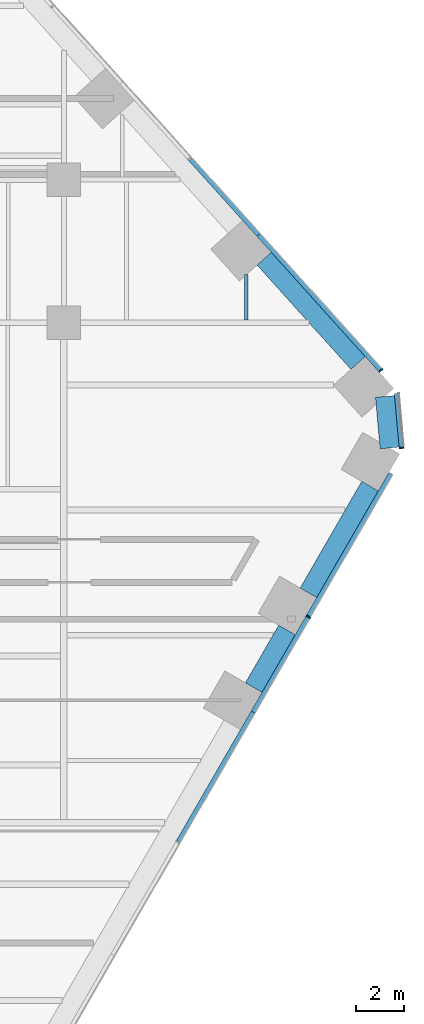
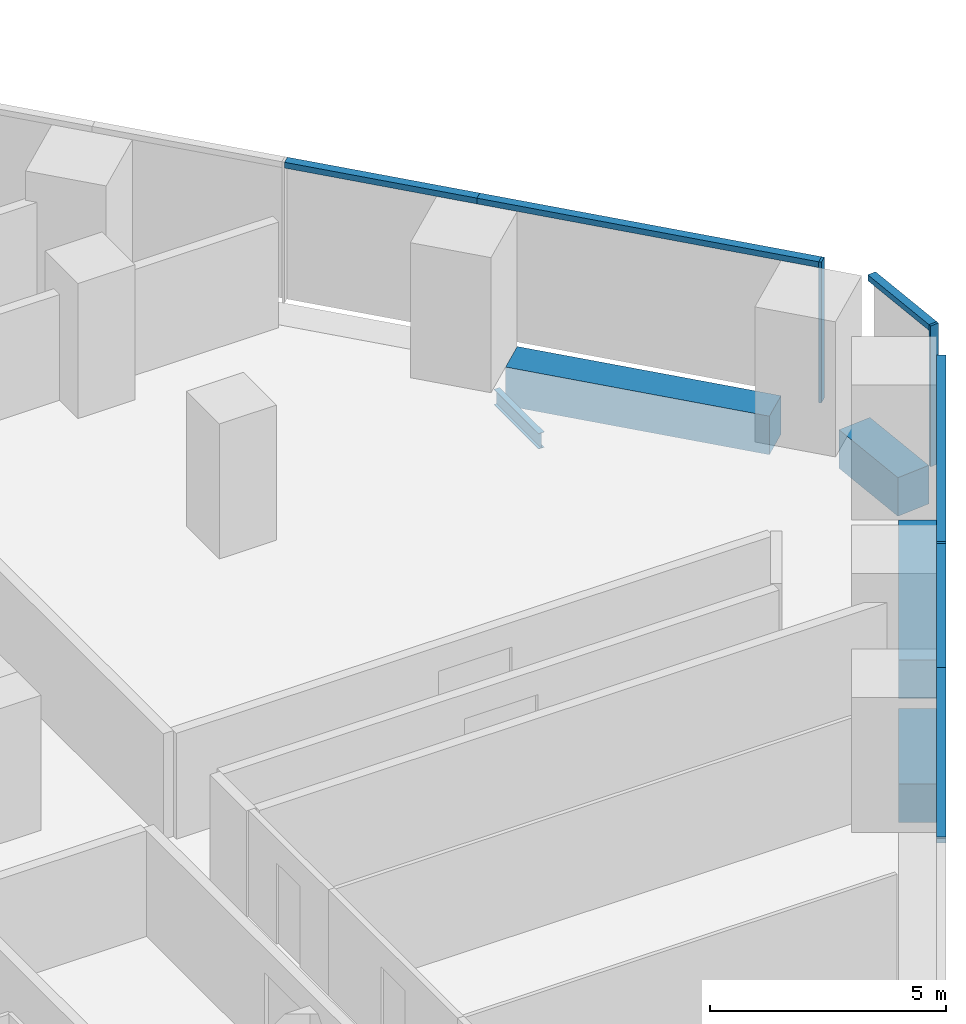
# One storey, part 11 of 20: 9 members, 5 beams, 3 elements without a shape of their own.
"""IFC4 building model written with IfcOpenShell, lengths in metres."""

from ifc_helpers import new_model, si_unit, direction, frame, origin, origin_2d, place, context, subcontext, project, spatial, rectangle, i_section, extrude, material, layer, layer_set, material_profile, profile_set, type_object, element, aggregate, save


model = new_model("IFC4")

# Units and contexts
model_context = context("Model", 3, precision=1e-05, world=origin(), true_north=direction((0.0, 1.0)))
body_context = subcontext(model_context, "Body", "Model", "MODEL_VIEW")
ifc_project = project(units=[si_unit("LENGTHUNIT", "METRE"), si_unit("AREAUNIT", "SQUARE_METRE"), si_unit("VOLUMEUNIT", "CUBIC_METRE"), si_unit("PLANEANGLEUNIT", "RADIAN"), si_unit("MASSUNIT", "GRAM", prefix="KILO")], contexts=[model_context])

# Site, building, storey
site_placement = place(None, origin())
site = spatial("IfcSite", under=ifc_project, at=site_placement, CompositionType="ELEMENT")
building_placement = place(site_placement, origin())
building = spatial("IfcBuilding", under=site, at=building_placement, Name="Isthmus Gate Tower", CompositionType="ELEMENT")
storey_placement = place(building_placement, frame((0.0, 0.0, 61.550048828125)))
storey = spatial("IfcBuildingStorey", under=building, at=storey_placement, Name="L13", CompositionType="ELEMENT", Elevation=61.550048828125)

# Curtain wall, member
ifc_material_1 = material(Name="Aluminium, pale champagne anodised", Category="aluminium")
ifc_layer = layer(ifc_material_1, 0.199951171875)
ifc_layer_set = layer_set([ifc_layer], Name="CW-1 UNITISED CURTAIN WALL 200 DEEP")
curtain_wall_type = type_object("IfcCurtainWallType", Name="CW-1 UNITISED CURTAIN WALL 200 DEEP", PredefinedType="NOTDEFINED", material=ifc_layer_set)
curtain_wall_1_placement = place(storey_placement, origin())
curtain_wall_1 = element("IfcCurtainWall", 1, at=curtain_wall_1_placement, inside=storey, type_object=curtain_wall_type, Name="CW-1 SE L13", PredefinedType="NOTDEFINED")
ifc_material_2 = material(Name="Aluminium, pale champagne anodised", Category="aluminium")
ifc_material_profile_1 = material_profile(ifc_material_2, rectangle(XDim=0.06005859375, YDim=0.199951171875, at=origin_2d()), Name="60x200")
ifc_profile_set_1 = profile_set([ifc_material_profile_1], Name="Aluminium, pale champagne anodised")
member_type_1 = type_object("IfcMemberType", Name="CW-1 MULLION 60 X 200", PredefinedType="MULLION", material=ifc_profile_set_1)
member_1_placement = place(storey_placement, frame((34.267822265625, -4.846435546875, 0.0), z_axis=(0.0, 0.0, 1.0), x_axis=(0.5, 0.866025403784, 0.0)))
member_1 = element("IfcMember", 2, at=member_1_placement, type_object=member_type_1, Name="CW-1 mullion", PredefinedType="MULLION", context=body_context, shape_type="SweptSolid", body=[
    extrude(rectangle(XDim=0.06005859375, YDim=0.199951171875, at=origin_2d()), origin(), (0.0, 0.0, 1.0), 3.64990234375),
])

curtain_wall_2_placement = place(storey_placement, origin())
curtain_wall_2 = element("IfcCurtainWall", 3, at=curtain_wall_2_placement, inside=storey, type_object=curtain_wall_type, Name="CW-1 SE-NE L13", PredefinedType="NOTDEFINED")
member_2_placement = place(storey_placement, frame((38.178955078125, 2.24169921875, 0.0), z_axis=(0.0, 0.0, 1.0), x_axis=(-0.089396669717, 0.995996102123, 0.0)))
member_2 = element("IfcMember", 4, at=member_2_placement, type_object=member_type_1, Name="CW-1 mullion", PredefinedType="MULLION", context=body_context, shape_type="SweptSolid", body=[
    extrude(rectangle(XDim=0.06005859375, YDim=0.199951171875, at=origin_2d()), origin(), (0.0, 0.0, 1.0), 3.64990234375),
])

curtain_wall_3_placement = place(storey_placement, origin())
curtain_wall_3 = element("IfcCurtainWall", 5, at=curtain_wall_3_placement, inside=storey, type_object=curtain_wall_type, Name="CW-1 NE L13", PredefinedType="NOTDEFINED")
member_3_placement = place(storey_placement, frame((37.306640625, 5.494384765625, 0.0), z_axis=(0.0, 0.0, 1.0), x_axis=(-0.669130606359, 0.743144825477, 0.0)))
member_3 = element("IfcMember", 6, at=member_3_placement, type_object=member_type_1, Name="CW-1 mullion", PredefinedType="MULLION", context=body_context, shape_type="SweptSolid", body=[
    extrude(rectangle(XDim=0.06005859375, YDim=0.199951171875, at=origin_2d()), origin(), (0.0, 0.0, 1.0), 3.64990234375),
])

# Member
ifc_material_3 = material(Name="Aluminium, pale champagne anodised", Category="aluminium")
ifc_material_profile_2 = material_profile(ifc_material_3, rectangle(XDim=0.199951171875, YDim=0.14990234375, at=origin_2d()), Name="200x150")
ifc_profile_set_2 = profile_set([ifc_material_profile_2], Name="Aluminium, pale champagne anodised")
member_type_2 = type_object("IfcMemberType", Name="CW-1 TRANSOM 200 X 150", PredefinedType="USERDEFINED", material=ifc_profile_set_2)
member_4_placement = place(storey_placement, frame((28.817138671875, -14.287353515625, 3.574951171875), z_axis=(0.499995104884, 0.866028229963, 0.0), x_axis=(-0.866028229963, 0.499995104884, 0.0)))
member_4 = element("IfcMember", 7, at=member_4_placement, type_object=member_type_2, Name="CW-1 transom", ObjectType="TRANSOM", PredefinedType="USERDEFINED", context=body_context, shape_type="SweptSolid", body=[
    extrude(rectangle(XDim=0.199951171875, YDim=0.14990234375, at=origin_2d()), origin(), (0.0, 0.0, 1.0), 6.2783203125),
])

member_5_placement = place(storey_placement, frame((31.956298828125, -8.85009765625, 3.574951171875), z_axis=(0.499992401796, 0.866029790565, 0.0), x_axis=(-0.866029790565, 0.499992401796, 0.0)))
member_5 = element("IfcMember", 8, at=member_5_placement, type_object=member_type_2, Name="CW-1 transom", ObjectType="TRANSOM", PredefinedType="USERDEFINED", context=body_context, shape_type="SweptSolid", body=[
    extrude(rectangle(XDim=0.199951171875, YDim=0.14990234375, at=origin_2d()), origin(), (0.0, 0.0, 1.0), 4.5927734375),
])

member_6_placement = place(storey_placement, frame((34.28271484375, -4.820556640625, 3.574951171875), z_axis=(0.500003839917, 0.866023186796, 0.0), x_axis=(-0.866023186796, 0.500003839917, 0.0)))
member_6 = element("IfcMember", 9, at=member_6_placement, type_object=member_type_2, Name="CW-1 transom", ObjectType="TRANSOM", PredefinedType="USERDEFINED", context=body_context, shape_type="SweptSolid", body=[
    extrude(rectangle(XDim=0.199951171875, YDim=0.14990234375, at=origin_2d()), origin(), (0.0, 0.0, 1.0), 6.90966796875),
])

aggregate(curtain_wall_1, [member_4, member_5, member_1, member_6])

member_7_placement = place(storey_placement, frame((38.17626953125, 2.271728515625, 3.574951171875), z_axis=(-0.089395362867, 0.995996219419, 0.0), x_axis=(-0.995996219419, -0.089395362867, 0.0)))
member_7 = element("IfcMember", 10, at=member_7_placement, type_object=member_type_2, Name="CW-1 transom", ObjectType="TRANSOM", PredefinedType="USERDEFINED", context=body_context, shape_type="SweptSolid", body=[
    extrude(rectangle(XDim=0.199951171875, YDim=0.14990234375, at=origin_2d()), origin(), (0.0, 0.0, 1.0), 2.258544921875),
])

aggregate(curtain_wall_2, [member_2, member_7])

member_8_placement = place(storey_placement, frame((37.28662109375, 5.5166015625, 3.574951171875), z_axis=(-0.66912913739, 0.74314614814, 0.0), x_axis=(-0.74314614814, -0.66912913739, 0.0)))
member_8 = element("IfcMember", 11, at=member_8_placement, type_object=member_type_2, Name="CW-1 transom", ObjectType="TRANSOM", PredefinedType="USERDEFINED", context=body_context, shape_type="SweptSolid", body=[
    extrude(rectangle(XDim=0.199951171875, YDim=0.14990234375, at=origin_2d()), origin(), (0.0, 0.0, 1.0), 7.62939453125),
])

member_9_placement = place(storey_placement, frame((32.181640625, 11.186279296875, 3.574951171875), z_axis=(-0.669131169216, 0.743144318678, 0.0), x_axis=(-0.743144318678, -0.669131169216, 0.0)))
member_9 = element("IfcMember", 12, at=member_9_placement, type_object=member_type_2, Name="CW-1 transom", ObjectType="TRANSOM", PredefinedType="USERDEFINED", context=body_context, shape_type="SweptSolid", body=[
    extrude(rectangle(XDim=0.199951171875, YDim=0.14990234375, at=origin_2d()), origin(), (0.0, 0.0, 1.0), 4.294677734375),
])

aggregate(curtain_wall_3, [member_3, member_8, member_9])

# Beams
ifc_material_4 = material(Name="Concrete f'c 70 MPa", Category="concrete")
ifc_material_profile_3 = material_profile(ifc_material_4, rectangle(XDim=0.800048828125, YDim=1.0, at=origin_2d()), Name="RC 800X1000")
ifc_profile_set_3 = profile_set([ifc_material_profile_3], Name="Concrete f'c 70 MPa")
beam_type_1 = type_object("IfcBeamType", Name="RC SPANDREL 800 X 1000", PredefinedType="SPANDREL", material=ifc_profile_set_3)
beam_1_placement = place(storey_placement, frame((32.412353515625, 10.182861328125, -0.5), z_axis=(0.669138782017, -0.743137464001, 0.0), x_axis=(0.743137464001, 0.669138782017, 0.0)))
element("IfcBeam", 13, at=beam_1_placement, inside=storey, type_object=beam_type_1, Name="str-spandrel-L13-04", PredefinedType="SPANDREL", context=body_context, shape_type="SweptSolid", body=[
    extrude(rectangle(XDim=0.800048828125, YDim=1.0, at=origin_2d()), origin(), (0.0, 0.0, 1.0), 5.88916015625),
])
beam_2_placement = place(storey_placement, frame((37.483154296875, 4.40185546875, -0.5), z_axis=(0.089421511639, -0.995993872098, 0.0), x_axis=(0.995993872098, 0.089421511639, 0.0)))
element("IfcBeam", 14, at=beam_2_placement, inside=storey, type_object=beam_type_1, Name="str-spandrel-L13-05", PredefinedType="SPANDREL", context=body_context, shape_type="SweptSolid", body=[
    extrude(rectangle(XDim=0.800048828125, YDim=1.0, at=origin_2d()), origin(), (0.0, 0.0, 1.0), 2.17333984375),
])
beam_3_placement = place(storey_placement, frame((36.8544921875, 0.6337890625, -0.5), z_axis=(-0.50000453793, -0.866022783793, 0.0), x_axis=(0.866022783793, -0.50000453793, 0.0)))
element("IfcBeam", 15, at=beam_3_placement, inside=storey, type_object=beam_type_1, Name="str-spandrel-L13-06", PredefinedType="SPANDREL", context=body_context, shape_type="SweptSolid", body=[
    extrude(rectangle(XDim=0.800048828125, YDim=1.0, at=origin_2d()), origin(), (0.0, 0.0, 1.0), 5.16943359375),
])
beam_4_placement = place(storey_placement, frame((33.369873046875, -5.40185546875, -0.5), z_axis=(-0.500012514453, -0.866018178441, 0.0), x_axis=(0.866018178441, -0.500012514453, 0.0)))
element("IfcBeam", 16, at=beam_4_placement, inside=storey, type_object=beam_type_1, Name="str-spandrel-L13-07", PredefinedType="SPANDREL", context=body_context, shape_type="SweptSolid", body=[
    extrude(rectangle(XDim=0.800048828125, YDim=1.0, at=origin_2d()), origin(), (0.0, 0.0, 1.0), 2.79296875),
])
ifc_material_5 = material(Name="Structural steel ASTM A992 Gr 50", Category="steel")
ifc_material_profile_4 = material_profile(ifc_material_5, i_section(OverallWidth=0.1396484375, OverallDepth=0.4033203125, WebThickness=0.00634765625, FlangeThickness=0.010986328125, at=origin_2d()), Name="W16X31")
ifc_profile_set_4 = profile_set([ifc_material_profile_4], Name="Structural steel ASTM A992 Gr 50")
beam_type_2 = type_object("IfcBeamType", Name="STEEL FLOOR BEAM W16X31", PredefinedType="JOIST", material=ifc_profile_set_4)
beam_5_placement = place(storey_placement, frame((31.666259765625, 7.6142578125, -0.3515625), z_axis=(0.0, 1.0, 0.0), x_axis=(-1.0, 0.0, 0.0)))
element("IfcBeam", 17, at=beam_5_placement, inside=storey, type_object=beam_type_2, Name="str-beam-L13-33-01", PredefinedType="JOIST", context=body_context, shape_type="SweptSolid", body=[
    extrude(i_section(OverallWidth=0.1396484375, OverallDepth=0.4033203125, WebThickness=0.00634765625, FlangeThickness=0.010986328125, at=origin_2d()), origin(), (0.0, 0.0, 1.0), 1.89697265625),
])

save(model, "model.ifc")
